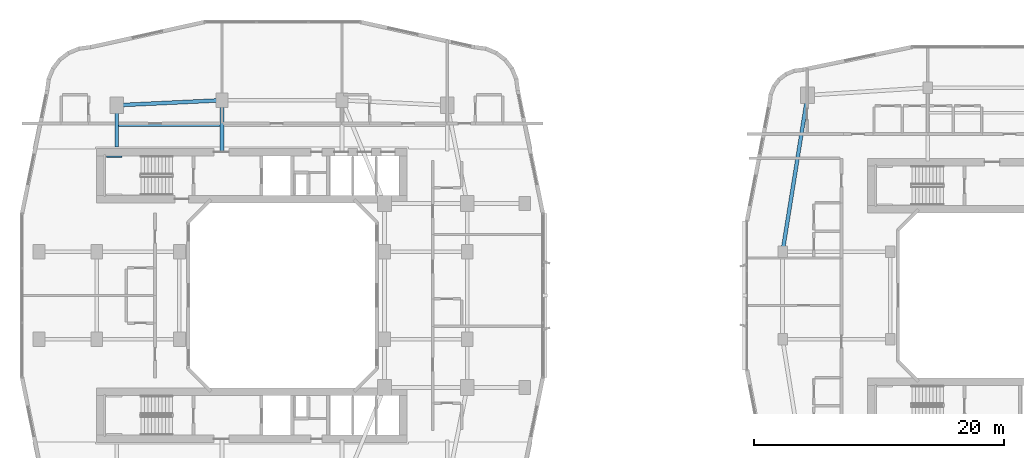
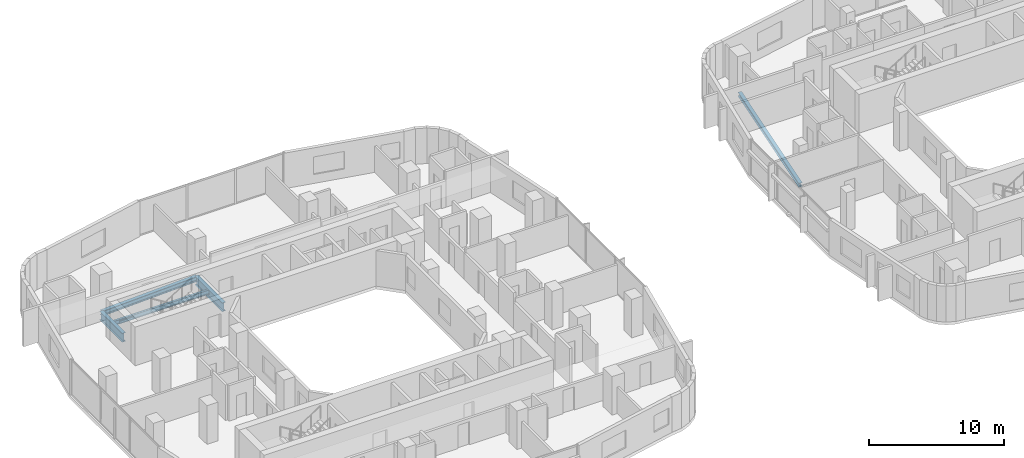
# One storey, part 6 of 27: 6 beams.
"""IFC4 building model written with IfcOpenShell, lengths in metres."""

from ifc_helpers import new_model, si_unit, derived_unit, direction, frame, origin, origin_2d, place, context, subcontext, project, spatial, i_section, extrude, material, material_profile, profile_set, type_object, element, save


model = new_model("IFC4")

# Units and contexts
model_context = context("Model", 3, precision=1e-05, world=origin(), true_north=direction((0.0, 1.0)))
body_context = subcontext(model_context, "Body", "Model", "MODEL_VIEW")
ifc_project = project(units=[si_unit("LENGTHUNIT", "METRE"), si_unit("AREAUNIT", "SQUARE_METRE"), si_unit("VOLUMEUNIT", "CUBIC_METRE"), si_unit("PLANEANGLEUNIT", "RADIAN"), si_unit("MASSUNIT", "GRAM", prefix="KILO"), derived_unit("THERMALTRANSMITTANCEUNIT", [(si_unit("POWERUNIT", "WATT"), 1), (si_unit("LENGTHUNIT", "METRE"), -2), (si_unit("THERMODYNAMICTEMPERATUREUNIT", "KELVIN"), -1)])], contexts=[model_context])

# Site, building, storey
site_placement = place(None, origin())
site = spatial("IfcSite", under=ifc_project, at=site_placement, CompositionType="ELEMENT")
building_placement = place(site_placement, origin())
building = spatial("IfcBuilding", under=site, at=building_placement, Name="Kivonza Crest Hotel", CompositionType="ELEMENT")
storey_placement = place(building_placement, frame((0.0, 0.0, 34.5)))
storey = spatial("IfcBuildingStorey", under=building, at=storey_placement, Name="L08", CompositionType="ELEMENT", Elevation=34.5)

# Beams
ifc_material = material(Name="Steel S355", Category="steel")
ifc_material_profile_1 = material_profile(ifc_material, i_section(OverallWidth=0.300048828125, OverallDepth=0.360107421875, WebThickness=0.012451171875, FlangeThickness=0.0224609375, FilletRadius=0.027099609375, at=origin_2d()), Name="HEB 360")
ifc_profile_set_1 = profile_set([ifc_material_profile_1], Name="Steel S355")
beam_type_1 = type_object("IfcBeamType", Name="BM-HEB360", PredefinedType="SPANDREL", material=ifc_profile_set_1)
beam_1_placement = place(storey_placement, frame((63.0, 41.0, -0.429931640625), z_axis=(-0.157990501107, -0.987440631917, 0.0), x_axis=(0.987440631917, -0.157990501107, 0.0)))
element("IfcBeam", 1, at=beam_1_placement, inside=storey, type_object=beam_type_1, Name="Companion Tower T2 L08 perimeter spandrel NW-W2", PredefinedType="SPANDREL", context=body_context, shape_type="SweptSolid", body=[
    extrude(i_section(OverallWidth=0.300048828125, OverallDepth=0.360107421875, WebThickness=0.012451171875, FlangeThickness=0.0224609375, FilletRadius=0.027099609375, at=origin_2d()), origin(), (0.0, 0.0, 1.0), 12.658935546875),
])
ifc_material_profile_2 = material_profile(ifc_material, i_section(OverallWidth=0.300048828125, OverallDepth=0.449951171875, WebThickness=0.013916015625, FlangeThickness=0.02587890625, FilletRadius=0.027099609375, at=origin_2d()), Name="HEB 450")
ifc_profile_set_2 = profile_set([ifc_material_profile_2], Name="Steel S355")
beam_type_2 = type_object("IfcBeamType", Name="BM-HEB450", PredefinedType="SPANDREL", material=ifc_profile_set_2)
beam_2_placement = place(storey_placement, frame((16.199951171875, 40.60009765625, -0.5048828125), z_axis=(-0.998867283688, -0.047583080799, 0.0), x_axis=(0.047583080799, -0.998867283688, 0.0)))
element("IfcBeam", 2, at=beam_2_placement, inside=storey, type_object=beam_type_2, Name="Tower T1 L08 perimeter spandrel N1-NW", PredefinedType="SPANDREL", context=body_context, shape_type="SweptSolid", body=[
    extrude(i_section(OverallWidth=0.300048828125, OverallDepth=0.449951171875, WebThickness=0.013916015625, FlangeThickness=0.02587890625, FilletRadius=0.027099609375, at=origin_2d()), origin(), (0.0, 0.0, 1.0), 8.409423828125),
])
ifc_material_profile_3 = material_profile(ifc_material, i_section(OverallWidth=0.300048828125, OverallDepth=0.800048828125, WebThickness=0.017578125, FlangeThickness=0.032958984375, FilletRadius=0.030029296875, at=origin_2d()), Name="HEB 800")
ifc_profile_set_3 = profile_set([ifc_material_profile_3], Name="Steel S355")
beam_type_3 = type_object("IfcBeamType", Name="BM-HEB800", PredefinedType="BEAM", material=ifc_profile_set_3)
beam_3_placement = place(storey_placement, frame((7.800048828125, 40.199951171875, -0.679931640625), z_axis=(0.0, -1.0, 0.0), x_axis=(1.0, 0.0, 0.0)))
element("IfcBeam", 3, at=beam_3_placement, inside=storey, type_object=beam_type_3, Name="Tower T1 L08 radial core girder RNW", PredefinedType="BEAM", context=body_context, shape_type="SweptSolid", body=[
    extrude(i_section(OverallWidth=0.300048828125, OverallDepth=0.800048828125, WebThickness=0.017578125, FlangeThickness=0.032958984375, FilletRadius=0.030029296875, at=origin_2d()), origin(), (0.0, 0.0, 1.0), 3.349853515625),
])
beam_4_placement = place(storey_placement, frame((16.199951171875, 40.60009765625, -0.679931640625), z_axis=(0.0, -1.0, 0.0), x_axis=(1.0, 0.0, 0.0)))
element("IfcBeam", 4, at=beam_4_placement, inside=storey, type_object=beam_type_3, Name="Tower T1 L08 radial core girder RN1", PredefinedType="BEAM", context=body_context, shape_type="SweptSolid", body=[
    extrude(i_section(OverallWidth=0.300048828125, OverallDepth=0.800048828125, WebThickness=0.017578125, FlangeThickness=0.032958984375, FilletRadius=0.030029296875, at=origin_2d()), origin(), (0.0, 0.0, 1.0), 4.050048828125),
])
ifc_material_profile_4 = material_profile(ifc_material, i_section(OverallWidth=0.179931640625, OverallDepth=0.39990234375, WebThickness=0.008544921875, FlangeThickness=0.013427734375, FilletRadius=0.02099609375, at=origin_2d()), Name="IPE 400")
ifc_profile_set_4 = profile_set([ifc_material_profile_4], Name="Steel S355")
beam_type_4 = type_object("IfcBeamType", Name="BM-IPE400", PredefinedType="JOIST", material=ifc_profile_set_4)
beam_5_placement = place(storey_placement, frame((7.8798828125, 38.60009765625, -0.47998046875), z_axis=(1.0, 0.0, 0.0), x_axis=(0.0, 1.0, 0.0)))
element("IfcBeam", 5, at=beam_5_placement, inside=storey, type_object=beam_type_4, Name="Tower T1 L08 North-West floor joist", PredefinedType="JOIST", context=body_context, shape_type="SweptSolid", body=[
    extrude(i_section(OverallWidth=0.179931640625, OverallDepth=0.39990234375, WebThickness=0.008544921875, FlangeThickness=0.013427734375, FilletRadius=0.02099609375, at=origin_2d()), origin(), (0.0, 0.0, 1.0), 8.240234375),
])
ifc_material_profile_5 = material_profile(ifc_material, i_section(OverallWidth=0.1201171875, OverallDepth=0.239990234375, WebThickness=0.006103515625, FlangeThickness=0.009765625, FilletRadius=0.014892578125, at=origin_2d()), Name="IPE 240")
ifc_profile_set_5 = profile_set([ifc_material_profile_5], Name="Steel S355")
beam_type_5 = type_object("IfcBeamType", Name="BM-LLDG-240", PredefinedType="BEAM", material=ifc_profile_set_5)
beam_6_placement = place(storey_placement, frame((6.989990234375, 36.10009765625, 1.429931640625), z_axis=(1.0, 0.0, 0.0), x_axis=(0.0, 1.0, 0.0)))
element("IfcBeam", 6, at=beam_6_placement, inside=storey, type_object=beam_type_5, Name="Stair ST-T1-N L08 North landing corbel", PredefinedType="BEAM", context=body_context, shape_type="SweptSolid", body=[
    extrude(i_section(OverallWidth=0.1201171875, OverallDepth=0.239990234375, WebThickness=0.006103515625, FlangeThickness=0.009765625, FilletRadius=0.014892578125, at=origin_2d()), origin(), (0.0, 0.0, 1.0), 1.2099609375),
])

save(model, "model.ifc")
